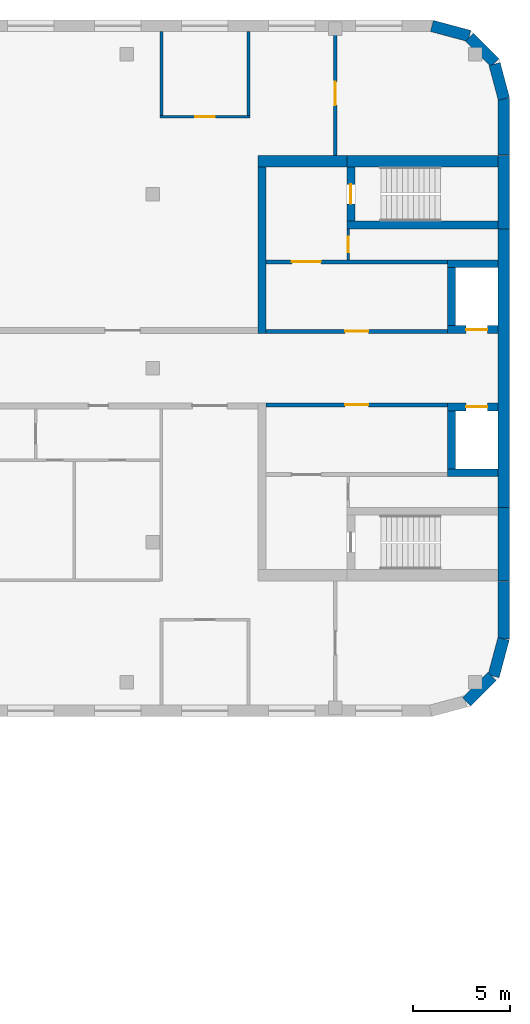
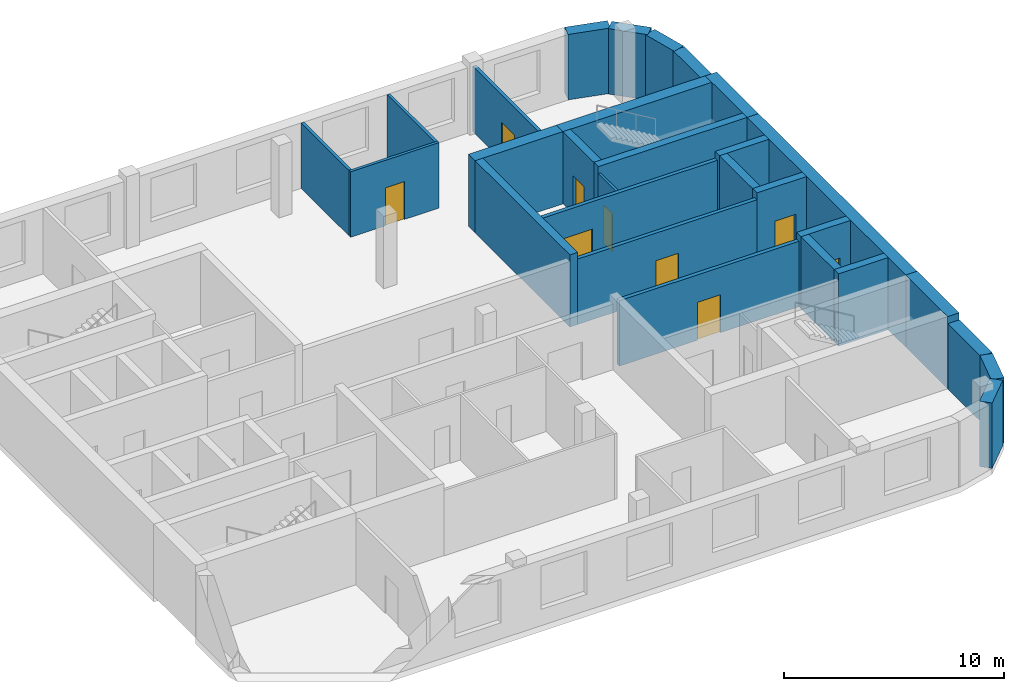
# One storey, part 9 of 12: 29 walls, 9 doors, 9 openings.
"""IFC4 building model written with IfcOpenShell, lengths in metres."""

from ifc_helpers import new_model, si_unit, direction, frame, frame_2d, origin, place, context, subcontext, project, spatial, rectangle, extrude, material, layer, layer_set, type_object, element, fill, save


model = new_model("IFC4")

# Units and contexts
model_context = context("Model", 3, precision=1e-05, world=origin(), true_north=direction((0.0, 1.0)))
body_context = subcontext(model_context, "Body", "Model", "MODEL_VIEW")
ifc_project = project(units=[si_unit("LENGTHUNIT", "METRE"), si_unit("AREAUNIT", "SQUARE_METRE"), si_unit("VOLUMEUNIT", "CUBIC_METRE"), si_unit("PLANEANGLEUNIT", "RADIAN"), si_unit("MASSUNIT", "GRAM", prefix="KILO")], contexts=[model_context])

# Site, building, storey
site_placement = place(None, origin())
site = spatial("IfcSite", under=ifc_project, at=site_placement, CompositionType="ELEMENT")
building_placement = place(site_placement, origin())
building = spatial("IfcBuilding", under=site, at=building_placement, Name="Skarvind Civic Tower", CompositionType="ELEMENT")
storey_placement = place(building_placement, frame((0.0, 0.0, 71.5)))
storey = spatial("IfcBuildingStorey", under=building, at=storey_placement, Name="L16", CompositionType="ELEMENT", Elevation=71.5)

# Wall, opening, door
ifc_material_1 = material(Name="Acoustic gypsum board on steel studs", Category="steel")
ifc_layer_1 = layer(ifc_material_1, 0.175048828125)
ifc_layer_set_1 = layer_set([ifc_layer_1], Name="ACOUSTIC MEETING-ROOM PARTITION 175")
wall_type_1 = type_object("IfcWallType", Name="ACOUSTIC MEETING-ROOM PARTITION 175", PredefinedType="PARTITIONING", material=ifc_layer_set_1)
wall_1_placement = place(storey_placement, frame((158.0, 139.0, 0.0), z_axis=(0.0, 0.0, 1.0), x_axis=(0.0, 1.0, 0.0)))
wall_1 = element("IfcWall", 1, at=wall_1_placement, inside=storey, type_object=wall_type_1, Name="Partition 16.017", PredefinedType="PARTITIONING", context=body_context, shape_type="SweptSolid", body=[
    extrude(rectangle(XDim=6.39990234375, YDim=0.175048828125, at=frame_2d((3.199951171875, 0.0))), origin(), (0.0, 0.0, 1.0), 3.625),
])
opening_1_placement = place(wall_1_placement, frame((2.60009765625, 0.0, 0.0)))
opening_1 = element("IfcOpeningElement", 2, at=opening_1_placement, cuts=wall_1, Name="Opening L16-D104", PredefinedType="OPENING", context=body_context, shape_type="SweptSolid", body=[
    extrude(rectangle(XDim=1.199951171875, YDim=2.10009765625, at=frame_2d((0.60009765625, 1.050048828125))), frame((0.0, 0.097412109375, 0.0), z_axis=(0.0, -1.0, 0.0), x_axis=(1.0, 0.0, 0.0)), (0.0, 0.0, 1.0), 0.195068359375),
])
ifc_material_2 = material(Name="Timber door leaf", Category="wood")
door_type_1 = type_object("IfcDoorType", Name="DOOR 1200X2100 DOUBLE TIMBER", OperationType="NOTDEFINED", PredefinedType="DOOR", material=ifc_material_2)
door_1_placement = place(opening_1_placement, origin())
door_1 = element("IfcDoor", 3, at=door_1_placement, inside=storey, type_object=door_type_1, Name="Door L16-D104", OperationType="DOUBLE_DOOR_SINGLE_SWING", OverallHeight=2.10009765625, OverallWidth=1.199951171875, PredefinedType="DOOR", context=body_context, shape_type="SweptSolid", body=[
    extrude(rectangle(XDim=1.199951171875, YDim=2.10009765625, at=frame_2d((0.60009765625, 1.050048828125))), frame((0.0, 0.02490234375, 0.0), z_axis=(0.0, -1.0, 0.0), x_axis=(1.0, 0.0, 0.0)), (0.0, 0.0, 1.0), 0.050048828125),
])
fill(opening_1, door_1)

ifc_material_3 = material(Name="Fire-rated masonry partition", Category="masonry")
ifc_layer_2 = layer(ifc_material_3, 0.199951171875)
ifc_layer_set_2 = layer_set([ifc_layer_2], Name="Core enclosure wall 200")
wall_type_2 = type_object("IfcWallType", Name="Core enclosure wall 200", PredefinedType="PARTITIONING", material=ifc_layer_set_2)
wall_2_placement = place(storey_placement, frame((163.800048828125, 126.10009765625, 0.0), z_axis=(0.0, 0.0, 1.0), x_axis=(-1.0, 0.0, 0.0)))
wall_2 = element("IfcWall", 4, at=wall_2_placement, inside=storey, type_object=wall_type_2, Name="Core wall CB", PredefinedType="PARTITIONING", context=body_context, shape_type="SweptSolid", body=[
    extrude(rectangle(XDim=9.400146484375, YDim=0.199951171875, at=frame_2d((4.7001953125, 0.0))), origin(), (0.0, 0.0, 1.0), 3.625),
])
opening_2_placement = place(wall_2_placement, frame((4.10009765625, 0.0, 0.0)))
opening_2 = element("IfcOpeningElement", 5, at=opening_2_placement, cuts=wall_2, Name="Opening D-L16-CB-03", PredefinedType="OPENING", context=body_context, shape_type="SweptSolid", body=[
    extrude(rectangle(XDim=1.199951171875, YDim=2.10009765625, at=frame_2d((0.60009765625, 1.050048828125))), frame((0.0, 0.10986328125, 0.0), z_axis=(0.0, -1.0, 0.0), x_axis=(1.0, 0.0, 0.0)), (0.0, 0.0, 1.0), 0.219970703125),
])
ifc_material_4 = material(Name="Fire-rated steel door", Category="steel")
door_type_2 = type_object("IfcDoorType", Name="Core lobby door 1200", OperationType="NOTDEFINED", PredefinedType="DOOR", material=ifc_material_4)
door_2_placement = place(opening_2_placement, origin())
door_2 = element("IfcDoor", 6, at=door_2_placement, inside=storey, type_object=door_type_2, Name="Fire door", OperationType="DOUBLE_DOOR_SINGLE_SWING", OverallHeight=2.10009765625, OverallWidth=1.199951171875, PredefinedType="DOOR", context=body_context, shape_type="SweptSolid", body=[
    extrude(rectangle(XDim=1.199951171875, YDim=2.10009765625, at=frame_2d((0.60009765625, 1.050048828125))), frame((0.0, 0.02490234375, 0.0), z_axis=(0.0, -1.0, 0.0), x_axis=(1.0, 0.0, 0.0)), (0.0, 0.0, 1.0), 0.050048828125),
])
fill(opening_2, door_2)

wall_3_placement = place(storey_placement, frame((154.39990234375, 129.89990234375, 0.0), z_axis=(0.0, 0.0, 1.0), x_axis=(1.0, 0.0, 0.0)))
wall_3 = element("IfcWall", 7, at=wall_3_placement, inside=storey, type_object=wall_type_2, Name="Core wall CB", PredefinedType="PARTITIONING", context=body_context, shape_type="SweptSolid", body=[
    extrude(rectangle(XDim=9.400146484375, YDim=0.199951171875, at=frame_2d((4.7001953125, 0.0))), origin(), (0.0, 0.0, 1.0), 3.625),
])
opening_3_placement = place(wall_3_placement, frame((4.10009765625, 0.0, 0.0)))
opening_3 = element("IfcOpeningElement", 8, at=opening_3_placement, cuts=wall_3, Name="Opening D-L16-CB-07", PredefinedType="OPENING", context=body_context, shape_type="SweptSolid", body=[
    extrude(rectangle(XDim=1.199951171875, YDim=2.10009765625, at=frame_2d((0.60009765625, 1.050048828125))), frame((0.0, 0.10986328125, 0.0), z_axis=(0.0, -1.0, 0.0), x_axis=(1.0, 0.0, 0.0)), (0.0, 0.0, 1.0), 0.219970703125),
])
door_3_placement = place(opening_3_placement, origin())
door_3 = element("IfcDoor", 9, at=door_3_placement, inside=storey, type_object=door_type_2, Name="Fire door", OperationType="DOUBLE_DOOR_SINGLE_SWING", OverallHeight=2.10009765625, OverallWidth=1.199951171875, PredefinedType="DOOR", context=body_context, shape_type="SweptSolid", body=[
    extrude(rectangle(XDim=1.199951171875, YDim=2.10009765625, at=frame_2d((0.60009765625, 1.050048828125))), frame((0.0, 0.02490234375, 0.0), z_axis=(0.0, -1.0, 0.0), x_axis=(1.0, 0.0, 0.0)), (0.0, 0.0, 1.0), 0.050048828125),
])
fill(opening_3, door_3)

wall_4_placement = place(storey_placement, frame((154.39990234375, 133.5, 0.0), z_axis=(0.0, 0.0, 1.0), x_axis=(1.0, 0.0, 0.0)))
wall_4 = element("IfcWall", 10, at=wall_4_placement, inside=storey, type_object=wall_type_2, Name="Core wall CB", PredefinedType="PARTITIONING", context=body_context, shape_type="SweptSolid", body=[
    extrude(rectangle(XDim=9.400146484375, YDim=0.199951171875, at=frame_2d((4.7001953125, 0.0))), origin(), (0.0, 0.0, 1.0), 3.625),
])
opening_4_placement = place(wall_4_placement, frame((1.35009765625, 0.0, 0.0)))
opening_4 = element("IfcOpeningElement", 11, at=opening_4_placement, cuts=wall_4, Name="Opening D-L16-CB-08", PredefinedType="OPENING", context=body_context, shape_type="SweptSolid", body=[
    extrude(rectangle(XDim=1.5, YDim=2.10009765625, at=frame_2d((0.75, 1.050048828125))), frame((0.0, 0.10986328125, 0.0), z_axis=(0.0, -1.0, 0.0), x_axis=(1.0, 0.0, 0.0)), (0.0, 0.0, 1.0), 0.219970703125),
])
door_type_3 = type_object("IfcDoorType", Name="Fire door 1500", OperationType="NOTDEFINED", PredefinedType="DOOR", material=ifc_material_4)
door_4_placement = place(opening_4_placement, origin())
door_4 = element("IfcDoor", 12, at=door_4_placement, inside=storey, type_object=door_type_3, Name="Fire door", OperationType="DOUBLE_DOOR_SINGLE_SWING", OverallHeight=2.10009765625, OverallWidth=1.5, PredefinedType="DOOR", context=body_context, shape_type="SweptSolid", body=[
    extrude(rectangle(XDim=1.5, YDim=2.10009765625, at=frame_2d((0.75, 1.050048828125))), frame((0.0, 0.02490234375, 0.0), z_axis=(0.0, -1.0, 0.0), x_axis=(1.0, 0.0, 0.0)), (0.0, 0.0, 1.0), 0.050048828125),
])
fill(opening_4, door_4)

# Wall
ifc_material_5 = material(Name="Concrete C80", Category="concrete")
ifc_layer_3 = layer(ifc_material_5, 0.39990234375)
ifc_layer_set_3 = layer_set([ifc_layer_3], Name="Core wall 400 C80")
wall_type_3 = type_object("IfcWallType", Name="Core wall 400 C80", PredefinedType="SHEAR", material=ifc_layer_set_3)
wall_5_placement = place(storey_placement, frame((166.39990234375, 135.39990234375, 0.0), z_axis=(0.0, 0.0, 1.0), x_axis=(-1.0, 0.0, 0.0)))
element("IfcWall", 13, at=wall_5_placement, inside=storey, type_object=wall_type_3, Name="Core wall CB south stair inner L16", PredefinedType="SHEAR", context=body_context, shape_type="SweptSolid", body=[
    extrude(rectangle(XDim=7.7998046875, YDim=0.39990234375, at=frame_2d((3.89990234375, 0.0))), origin(), (0.0, 0.0, 1.0), 4.0),
])

# Wall, opening, door
wall_6_placement = place(storey_placement, frame((158.800048828125, 138.39990234375, 0.0), z_axis=(0.0, 0.0, 1.0), x_axis=(0.0, -1.0, 0.0)))
wall_6 = element("IfcWall", 14, at=wall_6_placement, inside=storey, type_object=wall_type_3, Name="Core wall CB south stair end L16", PredefinedType="SHEAR", context=body_context, shape_type="SweptSolid", body=[
    extrude(rectangle(XDim=2.7998046875, YDim=0.39990234375, at=frame_2d((1.39990234375, 0.0))), origin(), (0.0, 0.0, 1.0), 4.0),
])
opening_5_placement = place(wall_6_placement, frame((0.89990234375, 0.0, 0.0)))
opening_5 = element("IfcOpeningElement", 15, at=opening_5_placement, cuts=wall_6, Name="Opening D-L16-CB-09", PredefinedType="OPENING", context=body_context, shape_type="SweptSolid", body=[
    extrude(rectangle(XDim=1.0, YDim=2.10009765625, at=frame_2d((0.5, 1.050048828125))), frame((0.0, 0.2099609375, 0.0), z_axis=(0.0, -1.0, 0.0), x_axis=(1.0, 0.0, 0.0)), (0.0, 0.0, 1.0), 0.419921875),
])
door_type_4 = type_object("IfcDoorType", Name="Fire door 1000", OperationType="NOTDEFINED", PredefinedType="DOOR", material=ifc_material_4)
door_5_placement = place(opening_5_placement, origin())
door_5 = element("IfcDoor", 16, at=door_5_placement, inside=storey, type_object=door_type_4, Name="Fire door", OperationType="SINGLE_SWING_RIGHT", OverallHeight=2.10009765625, OverallWidth=1.0, PredefinedType="DOOR", context=body_context, shape_type="SweptSolid", body=[
    extrude(rectangle(XDim=1.0, YDim=2.10009765625, at=frame_2d((0.5, 1.050048828125))), frame((0.0, 0.02490234375, 0.0), z_axis=(0.0, -1.0, 0.0), x_axis=(1.0, 0.0, 0.0)), (0.0, 0.0, 1.0), 0.050048828125),
])
fill(opening_5, door_5)

wall_7_placement = place(storey_placement, frame((166.39990234375, 130.0, 0.0), z_axis=(0.0, 0.0, 1.0), x_axis=(-1.0, 0.0, 0.0)))
wall_7 = element("IfcWall", 17, at=wall_7_placement, inside=storey, type_object=wall_type_3, Name="Core wall CB south lift row front L16", PredefinedType="SHEAR", context=body_context, shape_type="SweptSolid", body=[
    extrude(rectangle(XDim=2.599853515625, YDim=0.39990234375, at=frame_2d((1.2998046875, 0.0))), origin(), (0.0, 0.0, 1.0), 4.0),
])
opening_6_placement = place(wall_7_placement, frame((0.550048828125, 0.0, 0.0)))
opening_6 = element("IfcOpeningElement", 18, at=opening_6_placement, cuts=wall_7, Name="Opening LD18402", PredefinedType="OPENING", context=body_context, shape_type="SweptSolid", body=[
    extrude(rectangle(XDim=1.10009765625, YDim=2.10009765625, at=frame_2d((0.550048828125, 1.050048828125))), frame((0.0, 0.2099609375, 0.0), z_axis=(0.0, -1.0, 0.0), x_axis=(1.0, 0.0, 0.0)), (0.0, 0.0, 1.0), 0.419921875),
])
ifc_material_6 = material(Name="Stainless steel landing door", Category="steel")
door_type_5 = type_object("IfcDoorType", Name="Lift landing door 1100", OperationType="DOUBLE_DOOR_SLIDING", PredefinedType="DOOR", material=ifc_material_6)
door_6_placement = place(opening_6_placement, origin())
door_6 = element("IfcDoor", 19, at=door_6_placement, inside=storey, type_object=door_type_5, Name="Lift landing door", OperationType="DOUBLE_DOOR_SLIDING", OverallHeight=2.10009765625, OverallWidth=1.10009765625, PredefinedType="DOOR", context=body_context, shape_type="SweptSolid", body=[
    extrude(rectangle(XDim=1.10009765625, YDim=2.10009765625, at=frame_2d((0.550048828125, 1.050048828125))), frame((0.0, 0.02490234375, 0.0), z_axis=(0.0, -1.0, 0.0), x_axis=(1.0, 0.0, 0.0)), (0.0, 0.0, 1.0), 0.050048828125),
])
fill(opening_6, door_6)

# Walls
wall_8_placement = place(storey_placement, frame((166.39990234375, 133.39990234375, 0.0), z_axis=(0.0, 0.0, 1.0), x_axis=(-1.0, 0.0, 0.0)))
element("IfcWall", 20, at=wall_8_placement, inside=storey, type_object=wall_type_3, Name="Core wall CB south lift row back L16", PredefinedType="SHEAR", context=body_context, shape_type="SweptSolid", body=[
    extrude(rectangle(XDim=2.599853515625, YDim=0.39990234375, at=frame_2d((1.2998046875, 0.0))), origin(), (0.0, 0.0, 1.0), 4.0),
])
wall_9_placement = place(storey_placement, frame((164.0, 133.199951171875, 0.0), z_axis=(0.0, 0.0, 1.0), x_axis=(0.0, -1.0, 0.0)))
element("IfcWall", 21, at=wall_9_placement, inside=storey, type_object=wall_type_3, Name="Core wall CB south lift row division 1 L16", PredefinedType="SHEAR", context=body_context, shape_type="SweptSolid", body=[
    extrude(rectangle(XDim=3.0, YDim=0.39990234375, at=frame_2d((1.5, 0.0))), origin(), (0.0, 0.0, 1.0), 4.0),
])

# Wall, opening, door
wall_10_placement = place(storey_placement, frame((166.39990234375, 126.0, 0.0), z_axis=(0.0, 0.0, 1.0), x_axis=(-1.0, 0.0, 0.0)))
wall_10 = element("IfcWall", 22, at=wall_10_placement, inside=storey, type_object=wall_type_3, Name="Core wall CB north lift row front L16", PredefinedType="SHEAR", context=body_context, shape_type="SweptSolid", body=[
    extrude(rectangle(XDim=2.599853515625, YDim=0.39990234375, at=frame_2d((1.2998046875, 0.0))), origin(), (0.0, 0.0, 1.0), 4.0),
])
opening_7_placement = place(wall_10_placement, frame((0.550048828125, 0.0, 0.0)))
opening_7 = element("IfcOpeningElement", 23, at=opening_7_placement, cuts=wall_10, Name="Opening LD18401", PredefinedType="OPENING", context=body_context, shape_type="SweptSolid", body=[
    extrude(rectangle(XDim=1.10009765625, YDim=2.10009765625, at=frame_2d((0.550048828125, 1.050048828125))), frame((0.0, 0.2099609375, 0.0), z_axis=(0.0, -1.0, 0.0), x_axis=(1.0, 0.0, 0.0)), (0.0, 0.0, 1.0), 0.419921875),
])
door_7_placement = place(opening_7_placement, origin())
door_7 = element("IfcDoor", 24, at=door_7_placement, inside=storey, type_object=door_type_5, Name="Lift landing door", OperationType="DOUBLE_DOOR_SLIDING", OverallHeight=2.10009765625, OverallWidth=1.10009765625, PredefinedType="DOOR", context=body_context, shape_type="SweptSolid", body=[
    extrude(rectangle(XDim=1.10009765625, YDim=2.10009765625, at=frame_2d((0.550048828125, 1.050048828125))), frame((0.0, 0.02490234375, 0.0), z_axis=(0.0, -1.0, 0.0), x_axis=(1.0, 0.0, 0.0)), (0.0, 0.0, 1.0), 0.050048828125),
])
fill(opening_7, door_7)

# Walls
wall_11_placement = place(storey_placement, frame((166.39990234375, 122.60009765625, 0.0), z_axis=(0.0, 0.0, 1.0), x_axis=(-1.0, 0.0, 0.0)))
element("IfcWall", 25, at=wall_11_placement, inside=storey, type_object=wall_type_3, Name="Core wall CB north lift row back L16", PredefinedType="SHEAR", context=body_context, shape_type="SweptSolid", body=[
    extrude(rectangle(XDim=2.599853515625, YDim=0.39990234375, at=frame_2d((1.2998046875, 0.0))), origin(), (0.0, 0.0, 1.0), 4.0),
])
wall_12_placement = place(storey_placement, frame((164.0, 125.800048828125, 0.0), z_axis=(0.0, 0.0, 1.0), x_axis=(0.0, -1.0, 0.0)))
element("IfcWall", 26, at=wall_12_placement, inside=storey, type_object=wall_type_3, Name="Core wall CB north lift row division 1 L16", PredefinedType="SHEAR", context=body_context, shape_type="SweptSolid", body=[
    extrude(rectangle(XDim=3.0, YDim=0.39990234375, at=frame_2d((1.5, 0.0))), origin(), (0.0, 0.0, 1.0), 4.0),
])
wall_13_placement = place(storey_placement, frame((154.199951171875, 138.39990234375, 0.0), z_axis=(0.0, 0.0, 1.0), x_axis=(0.0, -1.0, 0.0)))
element("IfcWall", 27, at=wall_13_placement, inside=storey, type_object=wall_type_3, Name="Core wall CB south inner face L16", PredefinedType="SHEAR", context=body_context, shape_type="SweptSolid", body=[
    extrude(rectangle(XDim=8.599853515625, YDim=0.39990234375, at=frame_2d((4.2998046875, 0.0))), origin(), (0.0, 0.0, 1.0), 4.0),
])
ifc_layer_4 = layer(ifc_material_5, 0.60009765625)
ifc_layer_set_4 = layer_set([ifc_layer_4], Name="Core wall 600 C80")
wall_type_4 = type_object("IfcWallType", Name="Core wall 600 C80", PredefinedType="SHEAR", material=ifc_layer_set_4)
wall_14_placement = place(storey_placement, frame((166.699951171875, 139.0, 0.0), z_axis=(0.0, 0.0, 1.0), x_axis=(0.0, -1.0, 0.0)))
element("IfcWall", 28, at=wall_14_placement, inside=storey, type_object=wall_type_4, Name="Core wall CB tip at the south stair L16", PredefinedType="SHEAR", context=body_context, shape_type="SweptSolid", body=[
    extrude(rectangle(XDim=3.800048828125, YDim=0.60009765625, at=frame_2d((1.89990234375, 0.0))), origin(), (0.0, 0.0, 1.0), 4.0),
])
wall_15_placement = place(storey_placement, frame((166.699951171875, 135.199951171875, 0.0), z_axis=(0.0, 0.0, 1.0), x_axis=(0.0, -1.0, 0.0)))
element("IfcWall", 29, at=wall_15_placement, inside=storey, type_object=wall_type_4, Name="Core wall CB tip between the stairs L16", PredefinedType="SHEAR", context=body_context, shape_type="SweptSolid", body=[
    extrude(rectangle(XDim=14.39990234375, YDim=0.60009765625, at=frame_2d((7.199951171875, 0.0))), origin(), (0.0, 0.0, 1.0), 4.0),
])
wall_16_placement = place(storey_placement, frame((166.699951171875, 120.800048828125, 0.0), z_axis=(0.0, 0.0, 1.0), x_axis=(0.0, -1.0, 0.0)))
element("IfcWall", 30, at=wall_16_placement, inside=storey, type_object=wall_type_4, Name="Core wall CB tip at the north stair L16", PredefinedType="SHEAR", context=body_context, shape_type="SweptSolid", body=[
    extrude(rectangle(XDim=3.800048828125, YDim=0.60009765625, at=frame_2d((1.89990234375, 0.0))), origin(), (0.0, 0.0, 1.0), 4.0),
])
wall_17_placement = place(storey_placement, frame((166.39990234375, 138.699951171875, 0.0), z_axis=(0.0, 0.0, 1.0), x_axis=(-1.0, 0.0, 0.0)))
element("IfcWall", 31, at=wall_17_placement, inside=storey, type_object=wall_type_4, Name="Core wall CB south side at the stair L16", PredefinedType="SHEAR", context=body_context, shape_type="SweptSolid", body=[
    extrude(rectangle(XDim=7.7998046875, YDim=0.60009765625, at=frame_2d((3.89990234375, 0.0))), origin(), (0.0, 0.0, 1.0), 4.0),
])
wall_18_placement = place(storey_placement, frame((158.60009765625, 138.699951171875, 0.0), z_axis=(0.0, 0.0, 1.0), x_axis=(-1.0, 0.0, 0.0)))
element("IfcWall", 32, at=wall_18_placement, inside=storey, type_object=wall_type_4, Name="Core wall CB south side L16", PredefinedType="SHEAR", context=body_context, shape_type="SweptSolid", body=[
    extrude(rectangle(XDim=4.60009765625, YDim=0.60009765625, at=frame_2d((2.300048828125, 0.0))), origin(), (0.0, 0.0, 1.0), 4.0),
])
ifc_material_7 = material(Name="Plasterboard partition on steel studs", Category="steel")
ifc_layer_5 = layer(ifc_material_7, 0.14990234375)
ifc_layer_set_5 = layer_set([ifc_layer_5], Name="PARTITION 150")
wall_type_5 = type_object("IfcWallType", Name="PARTITION 150", PredefinedType="PARTITIONING", material=ifc_layer_set_5)
wall_19_placement = place(storey_placement, frame((149.0, 141.074951171875, 0.0), z_axis=(0.0, 0.0, 1.0), x_axis=(0.0, 1.0, 0.0)))
element("IfcWall", 33, at=wall_19_placement, inside=storey, type_object=wall_type_5, Name="Partition 16.011", PredefinedType="PARTITIONING", context=body_context, shape_type="SweptSolid", body=[
    extrude(rectangle(XDim=4.324951171875, YDim=0.14990234375, at=frame_2d((2.16259765625, 0.0))), origin(), (0.0, 0.0, 1.0), 3.625),
])

# Wall, opening, door
wall_20_placement = place(storey_placement, frame((153.574951171875, 141.0, 0.0), z_axis=(0.0, 0.0, 1.0), x_axis=(-1.0, 0.0, 0.0)))
wall_20 = element("IfcWall", 34, at=wall_20_placement, inside=storey, type_object=wall_type_5, Name="Partition 16.013", PredefinedType="PARTITIONING", context=body_context, shape_type="SweptSolid", body=[
    extrude(rectangle(XDim=4.64990234375, YDim=0.14990234375, at=frame_2d((2.324951171875, 0.0))), origin(), (0.0, 0.0, 1.0), 3.625),
])
opening_8_placement = place(wall_20_placement, frame((1.824951171875, 0.0, 0.0)))
opening_8 = element("IfcOpeningElement", 35, at=opening_8_placement, cuts=wall_20, Name="Opening L16-D102", PredefinedType="OPENING", context=body_context, shape_type="SweptSolid", body=[
    extrude(rectangle(XDim=1.0, YDim=2.10009765625, at=frame_2d((0.5, 1.050048828125))), frame((0.0, 0.0849609375, 0.0), z_axis=(0.0, -1.0, 0.0), x_axis=(1.0, 0.0, 0.0)), (0.0, 0.0, 1.0), 0.169921875),
])
door_type_6 = type_object("IfcDoorType", Name="D1 1000x2100", OperationType="NOTDEFINED", PredefinedType="DOOR", material=ifc_material_2)
door_8_placement = place(opening_8_placement, origin())
door_8 = element("IfcDoor", 36, at=door_8_placement, inside=storey, type_object=door_type_6, Name="Door L16-D102", OperationType="SINGLE_SWING_LEFT", OverallHeight=2.10009765625, OverallWidth=1.0, PredefinedType="DOOR", context=body_context, shape_type="SweptSolid", body=[
    extrude(rectangle(XDim=1.0, YDim=2.10009765625, at=frame_2d((0.5, 1.050048828125))), frame((0.0, 0.02490234375, 0.0), z_axis=(0.0, -1.0, 0.0), x_axis=(1.0, 0.0, 0.0)), (0.0, 0.0, 1.0), 0.050048828125),
])
fill(opening_8, door_8)

# Wall
wall_21_placement = place(storey_placement, frame((153.5, 145.39990234375, 0.0), z_axis=(0.0, 0.0, 1.0), x_axis=(0.0, -1.0, 0.0)))
element("IfcWall", 37, at=wall_21_placement, inside=storey, type_object=wall_type_5, Name="Partition 16.014", PredefinedType="PARTITIONING", context=body_context, shape_type="SweptSolid", body=[
    extrude(rectangle(XDim=4.324951171875, YDim=0.14990234375, at=frame_2d((2.16259765625, 0.0))), origin(), (0.0, 0.0, 1.0), 3.625),
])

# Wall, opening, door
ifc_layer_6 = layer(ifc_material_3, 0.125)
ifc_layer_set_6 = layer_set([ifc_layer_6], Name="Riser wall 125")
wall_type_6 = type_object("IfcWallType", Name="Riser wall 125", PredefinedType="PARTITIONING", material=ifc_layer_set_6)
wall_22_placement = place(storey_placement, frame((158.66259765625, 133.60009765625, 0.0), z_axis=(0.0, 0.0, 1.0), x_axis=(0.0, 1.0, 0.0)))
wall_22 = element("IfcWall", 38, at=wall_22_placement, inside=storey, type_object=wall_type_6, Name="Core wall CB", PredefinedType="PARTITIONING", context=body_context, shape_type="SweptSolid", body=[
    extrude(rectangle(XDim=1.599853515625, YDim=0.125, at=frame_2d((0.7998046875, 0.0))), origin(), (0.0, 0.0, 1.0), 3.625),
])
opening_9_placement = place(wall_22_placement, frame((0.39990234375, 0.0, 0.0)))
opening_9 = element("IfcOpeningElement", 39, at=opening_9_placement, cuts=wall_22, Name="Opening D-L16-CB-10", PredefinedType="OPENING", context=body_context, shape_type="SweptSolid", body=[
    extrude(rectangle(XDim=0.800048828125, YDim=2.10009765625, at=frame_2d((0.39990234375, 1.050048828125))), frame((0.0, 0.072509765625, 0.0), z_axis=(0.0, -1.0, 0.0), x_axis=(1.0, 0.0, 0.0)), (0.0, 0.0, 1.0), 0.14501953125),
])
door_type_7 = type_object("IfcDoorType", Name="Core riser door 800", OperationType="NOTDEFINED", PredefinedType="DOOR", material=ifc_material_4)
door_9_placement = place(opening_9_placement, origin())
door_9 = element("IfcDoor", 40, at=door_9_placement, inside=storey, type_object=door_type_7, Name="Riser door", OperationType="SINGLE_SWING_LEFT", OverallHeight=2.10009765625, OverallWidth=0.800048828125, PredefinedType="DOOR", context=body_context, shape_type="SweptSolid", body=[
    extrude(rectangle(XDim=0.800048828125, YDim=2.10009765625, at=frame_2d((0.39990234375, 1.050048828125))), frame((0.0, 0.02490234375, 0.0), z_axis=(0.0, -1.0, 0.0), x_axis=(1.0, 0.0, 0.0)), (0.0, 0.0, 1.0), 0.050048828125),
])
fill(opening_9, door_9)

# Walls
ifc_material_8 = material(Name="Limestone masonry cladding on insulated backing", Category="masonry")
ifc_layer_7 = layer(ifc_material_8, 0.60009765625)
ifc_layer_set_7 = layer_set([ifc_layer_7], Name="WX1 STONE FACADE WALL 600")
wall_type_7 = type_object("IfcWallType", Name="WX1 STONE FACADE WALL 600", PredefinedType="SOLIDWALL", material=ifc_layer_set_7)
wall_23_placement = place(storey_placement, frame((166.103515625, 112.063720703125, 0.0), z_axis=(0.0, 0.0, 1.0), x_axis=(-0.707106781187, -0.707106781187, 0.0)))
element("IfcWall", 41, at=wall_23_placement, inside=storey, type_object=wall_type_7, Name="STONE FACADE WALL", PredefinedType="SOLIDWALL", context=body_context, shape_type="SweptSolid", body=[
    extrude(rectangle(XDim=1.860595703125, YDim=0.60009765625, at=frame_2d((0.93017578125, 0.0))), origin(), (0.0, 0.0, 1.0), 3.625),
])
wall_24_placement = place(storey_placement, frame((166.692138671875, 114.010009765625, 0.0), z_axis=(0.0, 0.0, 1.0), x_axis=(-0.258839784042, -0.965920269068, 0.0)))
element("IfcWall", 42, at=wall_24_placement, inside=storey, type_object=wall_type_7, Name="STONE FACADE WALL", PredefinedType="SOLIDWALL", context=body_context, shape_type="SweptSolid", body=[
    extrude(rectangle(XDim=2.00048828125, YDim=0.60009765625, at=frame_2d((1.000244140625, 0.0))), origin(), (0.0, 0.0, 1.0), 3.625),
])
wall_25_placement = place(storey_placement, frame((166.699951171875, 116.97998046875, 0.0), z_axis=(0.0, 0.0, 1.0), x_axis=(0.0, -1.0, 0.0)))
element("IfcWall", 43, at=wall_25_placement, inside=storey, type_object=wall_type_7, Name="STONE FACADE WALL", PredefinedType="SOLIDWALL", context=body_context, shape_type="SweptSolid", body=[
    extrude(rectangle(XDim=2.97998046875, YDim=0.60009765625, at=frame_2d((1.489990234375, 0.0))), origin(), (0.0, 0.0, 1.0), 3.625),
])
wall_26_placement = place(storey_placement, frame((166.699951171875, 141.929931640625, 0.0), z_axis=(0.0, 0.0, 1.0), x_axis=(0.0, -1.0, 0.0)))
element("IfcWall", 44, at=wall_26_placement, inside=storey, type_object=wall_type_7, Name="STONE FACADE WALL", PredefinedType="SOLIDWALL", context=body_context, shape_type="SweptSolid", body=[
    extrude(rectangle(XDim=2.909912109375, YDim=0.60009765625, at=frame_2d((1.455078125, 0.0))), origin(), (0.0, 0.0, 1.0), 3.625),
])
for number, where, z_axis, x_axis, name in (
    (45, (166.228759765625, 143.719482421875, 0.0), (0.0, 0.0, 1.0), (0.258773254036, -0.965938094805, 0.0), "STONE FACADE WALL"),
    (46, (164.936279296875, 145.103515625, 0.0), (0.0, 0.0, 1.0), (0.707106781187, -0.707106781187, 0.0), "STONE FACADE WALL"),
):
    element("IfcWall", number, at=place(storey_placement, frame(where, z_axis=z_axis, x_axis=x_axis)), inside=storey, type_object=wall_type_7, Name=name, PredefinedType="SOLIDWALL", context=body_context, shape_type="SweptSolid", body=[
        extrude(rectangle(XDim=1.860595703125, YDim=0.60009765625, at=frame_2d((0.93017578125, 0.0))), origin(), (0.0, 0.0, 1.0), 3.625),
    ])
wall_27_placement = place(storey_placement, frame((162.989990234375, 145.692138671875, 0.0), z_axis=(0.0, 0.0, 1.0), x_axis=(0.965920269068, -0.258839784042, 0.0)))
element("IfcWall", 47, at=wall_27_placement, inside=storey, type_object=wall_type_7, Name="STONE FACADE WALL", PredefinedType="SOLIDWALL", context=body_context, shape_type="SweptSolid", body=[
    extrude(rectangle(XDim=2.00048828125, YDim=0.60009765625, at=frame_2d((1.000244140625, 0.0))), origin(), (0.0, 0.0, 1.0), 3.625),
])

save(model, "model.ifc")
